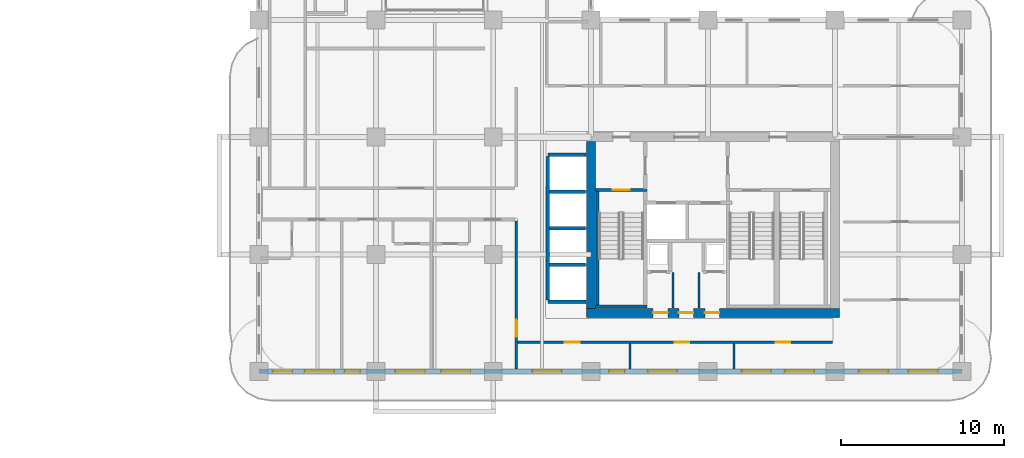
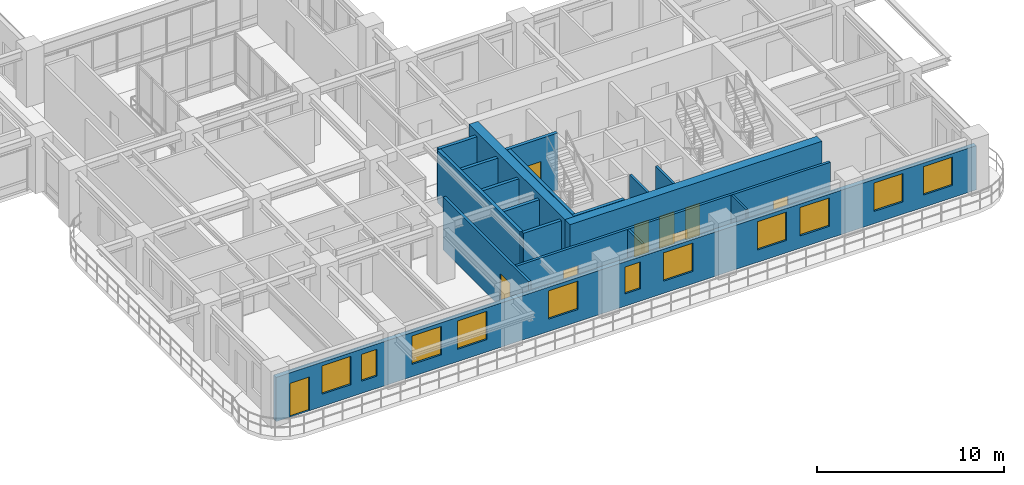
# One storey, part 13 of 22: 18 walls, 11 windows, 9 doors, 20 openings.
"""IFC4 building model written with IfcOpenShell, lengths in metres."""

from ifc_helpers import new_model, si_unit, derived_unit, direction, frame, frame_2d, origin, place, context, subcontext, project, spatial, rectangle, extrude, source, transform, mapped, material, layer, layer_set, type_object, type_shapes, element, fill, save


model = new_model("IFC4")

# Units and contexts
model_context = context("Model", 3, precision=1e-05, world=origin(), true_north=direction((0.0, 1.0)))
body_context = subcontext(model_context, "Body", "Model", "MODEL_VIEW")
ifc_project = project(units=[si_unit("LENGTHUNIT", "METRE"), si_unit("AREAUNIT", "SQUARE_METRE"), si_unit("VOLUMEUNIT", "CUBIC_METRE"), si_unit("PLANEANGLEUNIT", "RADIAN"), si_unit("MASSUNIT", "GRAM", prefix="KILO"), si_unit("THERMODYNAMICTEMPERATUREUNIT", "KELVIN"), si_unit("POWERUNIT", "WATT"), derived_unit("THERMALTRANSMITTANCEUNIT", [(si_unit("POWERUNIT", "WATT"), 1), (si_unit("AREAUNIT", "SQUARE_METRE"), -1), (si_unit("THERMODYNAMICTEMPERATUREUNIT", "KELVIN"), -1)])], contexts=[model_context])

# Site, building, storey
site_placement = place(None, origin())
site = spatial("IfcSite", under=ifc_project, at=site_placement, CompositionType="ELEMENT")
building_placement = place(site_placement, origin())
building = spatial("IfcBuilding", under=site, at=building_placement, Name="Zahravan Archway Hotel and Residences", CompositionType="ELEMENT")
storey_placement = place(building_placement, frame((0.0, 0.0, 80.5)))
storey = spatial("IfcBuildingStorey", under=building, at=storey_placement, Name="L19", CompositionType="ELEMENT", Elevation=80.5)

# Wall, openings, doors
ifc_material_1 = material(Name="Concrete C70/85", Category="concrete")
ifc_layer_1 = layer(ifc_material_1, 0.550048828125, Name="Concrete C70/85", Category="concrete")
ifc_layer_set_1 = layer_set([ifc_layer_1], Name="Concrete C70/85")
wall_type_1 = type_object("IfcWallType", Name="CW-CORE-550", PredefinedType="SHEAR", material=ifc_layer_set_1)
wall_1_placement = place(storey_placement, frame((34.52490234375, 3.60009765625, 0.0), z_axis=(0.0, 0.0, 1.0), x_axis=(1.0, 0.0, 0.0)))
wall_1 = element("IfcWall", 1, at=wall_1_placement, inside=storey, type_object=wall_type_1, Name="L19 Core A Shear S Wall 550 mm", PredefinedType="SHEAR", context=body_context, shape_type="SweptSolid", body=[
    extrude(rectangle(XDim=15.550048828125, YDim=0.550048828125, at=frame_2d((7.77490234375, 0.0))), origin(), (0.0, 0.0, 1.0), 3.699951171875),
])
opening_1_placement = place(wall_1_placement, frame((4.10498046875, 0.0, 0.0)))
opening_1 = element("IfcOpeningElement", 2, at=opening_1_placement, cuts=wall_1, Name="Opening FD-R1", PredefinedType="OPENING", context=body_context, shape_type="SweptSolid", body=[
    extrude(rectangle(XDim=0.89990234375, YDim=2.10009765625, at=frame_2d((0.449951171875, 1.050048828125))), frame((0.0, 0.28515625, 0.0), z_axis=(0.0, -1.0, 0.0), x_axis=(1.0, 0.0, 0.0)), (0.0, 0.0, 1.0), 0.570068359375),
])
opening_2_placement = place(wall_1_placement, frame((5.675048828125, 0.0, 0.0)))
opening_2 = element("IfcOpeningElement", 3, at=opening_2_placement, cuts=wall_1, Name="Opening FD-R1", PredefinedType="OPENING", context=body_context, shape_type="SweptSolid", body=[
    extrude(rectangle(XDim=0.89990234375, YDim=2.10009765625, at=frame_2d((0.449951171875, 1.050048828125))), frame((0.0, 0.28515625, 0.0), z_axis=(0.0, -1.0, 0.0), x_axis=(1.0, 0.0, 0.0)), (0.0, 0.0, 1.0), 0.570068359375),
])
opening_3_placement = place(wall_1_placement, frame((7.27490234375, 0.0, 0.0)))
opening_3 = element("IfcOpeningElement", 4, at=opening_3_placement, cuts=wall_1, Name="Opening FD-R1", PredefinedType="OPENING", context=body_context, shape_type="SweptSolid", body=[
    extrude(rectangle(XDim=0.89990234375, YDim=2.10009765625, at=frame_2d((0.449951171875, 1.050048828125))), frame((0.0, 0.28515625, 0.0), z_axis=(0.0, -1.0, 0.0), x_axis=(1.0, 0.0, 0.0)), (0.0, 0.0, 1.0), 0.570068359375),
])
ifc_material_2 = material(Name="Fire-Rated Painted Steel", Category="steel")
door_type_1 = type_object("IfcDoorType", Name="FD-RISER-900", OperationType="NOTDEFINED", PredefinedType="DOOR", material=ifc_material_2)
shared_shape_1 = source(origin(), body_context, "Body", "SweptSolid", [
    extrude(rectangle(XDim=0.89990234375, YDim=2.10009765625, at=frame_2d((0.449951171875, 1.050048828125))), frame((0.0, 0.02490234375, 0.0), z_axis=(0.0, -1.0, 0.0), x_axis=(1.0, 0.0, 0.0)), (0.0, 0.0, 1.0), 0.050048828125),
])
type_shapes(door_type_1, [shared_shape_1])
door_1_placement = place(opening_1_placement, origin())
door_1 = element("IfcDoor", 5, at=door_1_placement, inside=storey, type_object=door_type_1, Name="L19 Linen Store Door", OperationType="SINGLE_SWING_RIGHT", OverallHeight=2.10009765625, OverallWidth=0.89990234375, PredefinedType="DOOR", context=body_context, shape_type="MappedRepresentation", body=[
    mapped(shared_shape_1, transform((0.0, 0.0, 0.0), scale=1.0)),
])
fill(opening_1, door_1)
door_2_placement = place(opening_2_placement, origin())
door_2 = element("IfcDoor", 6, at=door_2_placement, inside=storey, type_object=door_type_1, Name="L19 Housekeeping Store Door", OperationType="SINGLE_SWING_LEFT", OverallHeight=2.10009765625, OverallWidth=0.89990234375, PredefinedType="DOOR", context=body_context, shape_type="MappedRepresentation", body=[
    mapped(shared_shape_1, transform((0.0, 0.0, 0.0), scale=1.0)),
])
fill(opening_2, door_2)
door_3_placement = place(opening_3_placement, origin())
door_3 = element("IfcDoor", 7, at=door_3_placement, inside=storey, type_object=door_type_1, Name="L19 Janitor Store Door", OperationType="SINGLE_SWING_RIGHT", OverallHeight=2.10009765625, OverallWidth=0.89990234375, PredefinedType="DOOR", context=body_context, shape_type="MappedRepresentation", body=[
    mapped(shared_shape_1, transform((0.0, 0.0, 0.0), scale=1.0)),
])
fill(opening_3, door_3)

# Wall
wall_2_placement = place(storey_placement, frame((34.800048828125, 3.875, 0.0), z_axis=(0.0, 0.0, 1.0), x_axis=(0.0, 1.0, 0.0)))
element("IfcWall", 8, at=wall_2_placement, inside=storey, type_object=wall_type_1, Name="L19 Core A Shear W Wall 550 mm", PredefinedType="SHEAR", context=body_context, shape_type="SweptSolid", body=[
    extrude(rectangle(XDim=10.25, YDim=0.550048828125, at=frame_2d((5.125, 0.0))), origin(), (0.0, 0.0, 1.0), 3.699951171875),
])

# Wall, openings, door, windows
ifc_material_3 = material(Name="Honed Red-Ochre Sandstone & Insulated Block", Category="masonry")
ifc_layer_2 = layer(ifc_material_3, 0.280029296875, Name="Honed Red-Ochre Sandstone & Insulated Block", Category="masonry")
ifc_layer_set_2 = layer_set([ifc_layer_2], Name="Honed Red-Ochre Sandstone & Insulated Block")
wall_type_2 = type_object("IfcWallType", Name="EW-LOG-280", PredefinedType="SOLIDWALL", material=ifc_layer_set_2)
wall_3_placement = place(storey_placement, frame((14.39990234375, 0.0, 0.0), z_axis=(0.0, 0.0, 1.0), x_axis=(1.0, 0.0, 0.0)))
wall_3 = element("IfcWall", 9, at=wall_3_placement, inside=storey, type_object=wall_type_2, Name="L19 Exterior Sandstone Wall WA-S", PredefinedType="SOLIDWALL", context=body_context, shape_type="SweptSolid", body=[
    extrude(rectangle(XDim=43.2001953125, YDim=0.280029296875, at=frame_2d((21.60009765625, 0.0))), origin(), (0.0, 0.0, 1.0), 2.885009765625),
])
opening_4_placement = place(wall_3_placement, frame((0.85009765625, 0.0, 0.0)))
opening_4 = element("IfcOpeningElement", 10, at=opening_4_placement, cuts=wall_3, Name="Opening ED-BL1", PredefinedType="OPENING", context=body_context, shape_type="SweptSolid", body=[
    extrude(rectangle(XDim=1.199951171875, YDim=2.199951171875, at=frame_2d((0.60009765625, 1.10009765625))), frame((0.0, 0.14990234375, 0.0), z_axis=(0.0, -1.0, 0.0), x_axis=(1.0, 0.0, 0.0)), (0.0, 0.0, 1.0), 0.300048828125),
])
opening_5_placement = place(wall_3_placement, frame((2.81103515625, 0.0, 0.800048828125)))
opening_5 = element("IfcOpeningElement", 11, at=opening_5_placement, cuts=wall_3, Name="Opening W-02", PredefinedType="OPENING", context=body_context, shape_type="SweptSolid", body=[
    extrude(rectangle(XDim=1.800048828125, YDim=1.85009765625, at=frame_2d((0.89990234375, 0.925048828125))), frame((0.0, 0.14990234375, 0.0), z_axis=(0.0, -1.0, 0.0), x_axis=(1.0, 0.0, 0.0)), (0.0, 0.0, 1.0), 0.300048828125),
])
opening_6_placement = place(wall_3_placement, frame((5.26904296875, 0.0, 0.800048828125)))
opening_6 = element("IfcOpeningElement", 12, at=opening_6_placement, cuts=wall_3, Name="Opening W-04", PredefinedType="OPENING", context=body_context, shape_type="SweptSolid", body=[
    extrude(rectangle(XDim=0.949951171875, YDim=1.75, at=frame_2d((0.47509765625, 0.875))), frame((0.0, 0.14990234375, 0.0), z_axis=(0.0, -1.0, 0.0), x_axis=(1.0, 0.0, 0.0)), (0.0, 0.0, 1.0), 0.300048828125),
])
opening_7_placement = place(wall_3_placement, frame((8.388916015625, 0.0, 0.800048828125)))
opening_7 = element("IfcOpeningElement", 13, at=opening_7_placement, cuts=wall_3, Name="Opening W-02", PredefinedType="OPENING", context=body_context, shape_type="SweptSolid", body=[
    extrude(rectangle(XDim=1.800048828125, YDim=1.85009765625, at=frame_2d((0.89990234375, 0.925048828125))), frame((0.0, 0.14990234375, 0.0), z_axis=(0.0, -1.0, 0.0), x_axis=(1.0, 0.0, 0.0)), (0.0, 0.0, 1.0), 0.300048828125),
])
opening_8_placement = place(wall_3_placement, frame((11.197021484375, 0.0, 0.800048828125)))
opening_8 = element("IfcOpeningElement", 14, at=opening_8_placement, cuts=wall_3, Name="Opening W-02", PredefinedType="OPENING", context=body_context, shape_type="SweptSolid", body=[
    extrude(rectangle(XDim=1.800048828125, YDim=1.85009765625, at=frame_2d((0.89990234375, 0.925048828125))), frame((0.0, 0.14990234375, 0.0), z_axis=(0.0, -1.0, 0.0), x_axis=(1.0, 0.0, 0.0)), (0.0, 0.0, 1.0), 0.300048828125),
])
opening_9_placement = place(wall_3_placement, frame((16.803955078125, 0.0, 0.800048828125)))
opening_9 = element("IfcOpeningElement", 15, at=opening_9_placement, cuts=wall_3, Name="Opening W-02", PredefinedType="OPENING", context=body_context, shape_type="SweptSolid", body=[
    extrude(rectangle(XDim=1.800048828125, YDim=1.85009765625, at=frame_2d((0.89990234375, 0.925048828125))), frame((0.0, 0.14990234375, 0.0), z_axis=(0.0, -1.0, 0.0), x_axis=(1.0, 0.0, 0.0)), (0.0, 0.0, 1.0), 0.300048828125),
])
opening_10_placement = place(wall_3_placement, frame((21.52099609375, 0.0, 0.800048828125)))
opening_10 = element("IfcOpeningElement", 16, at=opening_10_placement, cuts=wall_3, Name="Opening W-04", PredefinedType="OPENING", context=body_context, shape_type="SweptSolid", body=[
    extrude(rectangle(XDim=0.949951171875, YDim=1.75, at=frame_2d((0.47509765625, 0.875))), frame((0.0, 0.14990234375, 0.0), z_axis=(0.0, -1.0, 0.0), x_axis=(1.0, 0.0, 0.0)), (0.0, 0.0, 1.0), 0.300048828125),
])
opening_11_placement = place(wall_3_placement, frame((23.904052734375, 0.0, 0.800048828125)))
opening_11 = element("IfcOpeningElement", 17, at=opening_11_placement, cuts=wall_3, Name="Opening W-02", PredefinedType="OPENING", context=body_context, shape_type="SweptSolid", body=[
    extrude(rectangle(XDim=1.800048828125, YDim=1.85009765625, at=frame_2d((0.89990234375, 0.925048828125))), frame((0.0, 0.14990234375, 0.0), z_axis=(0.0, -1.0, 0.0), x_axis=(1.0, 0.0, 0.0)), (0.0, 0.0, 1.0), 0.300048828125),
])
opening_12_placement = place(wall_3_placement, frame((29.680908203125, 0.0, 0.800048828125)))
opening_12 = element("IfcOpeningElement", 18, at=opening_12_placement, cuts=wall_3, Name="Opening W-02", PredefinedType="OPENING", context=body_context, shape_type="SweptSolid", body=[
    extrude(rectangle(XDim=1.800048828125, YDim=1.85009765625, at=frame_2d((0.89990234375, 0.925048828125))), frame((0.0, 0.14990234375, 0.0), z_axis=(0.0, -1.0, 0.0), x_axis=(1.0, 0.0, 0.0)), (0.0, 0.0, 1.0), 0.300048828125),
])
opening_13_placement = place(wall_3_placement, frame((32.326904296875, 0.0, 0.800048828125)))
opening_13 = element("IfcOpeningElement", 19, at=opening_13_placement, cuts=wall_3, Name="Opening W-02", PredefinedType="OPENING", context=body_context, shape_type="SweptSolid", body=[
    extrude(rectangle(XDim=1.800048828125, YDim=1.85009765625, at=frame_2d((0.89990234375, 0.925048828125))), frame((0.0, 0.14990234375, 0.0), z_axis=(0.0, -1.0, 0.0), x_axis=(1.0, 0.0, 0.0)), (0.0, 0.0, 1.0), 0.300048828125),
])
opening_14_placement = place(wall_3_placement, frame((36.875, 0.0, 0.800048828125)))
opening_14 = element("IfcOpeningElement", 20, at=opening_14_placement, cuts=wall_3, Name="Opening W-02", PredefinedType="OPENING", context=body_context, shape_type="SweptSolid", body=[
    extrude(rectangle(XDim=1.800048828125, YDim=1.85009765625, at=frame_2d((0.89990234375, 0.925048828125))), frame((0.0, 0.14990234375, 0.0), z_axis=(0.0, -1.0, 0.0), x_axis=(1.0, 0.0, 0.0)), (0.0, 0.0, 1.0), 0.300048828125),
])
opening_15_placement = place(wall_3_placement, frame((39.925048828125, 0.0, 0.800048828125)))
opening_15 = element("IfcOpeningElement", 21, at=opening_15_placement, cuts=wall_3, Name="Opening W-02", PredefinedType="OPENING", context=body_context, shape_type="SweptSolid", body=[
    extrude(rectangle(XDim=1.800048828125, YDim=1.85009765625, at=frame_2d((0.89990234375, 0.925048828125))), frame((0.0, 0.14990234375, 0.0), z_axis=(0.0, -1.0, 0.0), x_axis=(1.0, 0.0, 0.0)), (0.0, 0.0, 1.0), 0.300048828125),
])
ifc_material_4 = material(Name="Bronze-Anodized Glazed Aluminium", Category="aluminium")
door_type_2 = type_object("IfcDoorType", Name="ED-BALC-1200", OperationType="SLIDING_TO_LEFT", PredefinedType="DOOR", material=ifc_material_4)
shared_shape_2 = source(origin(), body_context, "Body", "SweptSolid", [
    extrude(rectangle(XDim=1.199951171875, YDim=2.199951171875, at=frame_2d((0.60009765625, 1.10009765625))), frame((0.0, 0.02490234375, 0.0), z_axis=(0.0, -1.0, 0.0), x_axis=(1.0, 0.0, 0.0)), (0.0, 0.0, 1.0), 0.050048828125),
])
type_shapes(door_type_2, [shared_shape_2])
door_4_placement = place(opening_4_placement, origin())
door_4 = element("IfcDoor", 22, at=door_4_placement, inside=storey, type_object=door_type_2, Name="L19 Outdoor Access Sliding Door (SLB-BAL-L19-SA)", OperationType="SLIDING_TO_LEFT", OverallHeight=2.199951171875, OverallWidth=1.199951171875, PredefinedType="DOOR", context=body_context, shape_type="MappedRepresentation", body=[
    mapped(shared_shape_2, transform((0.0, 0.0, 0.0), scale=1.0)),
])
fill(opening_4, door_4)
ifc_material_5 = material(Name="Bronze-Anodized Thermal-Break Aluminium & Low-E Glass", Category="aluminium")
window_type_1 = type_object("IfcWindowType", Name="WIN-NAR-950", PartitioningType="SINGLE_PANEL", PredefinedType="WINDOW", material=ifc_material_5)
shared_shape_3 = source(origin(), body_context, "Body", "SweptSolid", [
    extrude(rectangle(XDim=0.949951171875, YDim=1.75, at=frame_2d((0.47509765625, 0.875))), frame((0.0, 0.030029296875, 0.0), z_axis=(0.0, -1.0, 0.0), x_axis=(1.0, 0.0, 0.0)), (0.0, 0.0, 1.0), 0.06005859375),
])
type_shapes(window_type_1, [shared_shape_3])
window_1_placement = place(opening_6_placement, origin())
window_1 = element("IfcWindow", 23, at=window_1_placement, inside=storey, type_object=window_type_1, Name="L19 Loggia Window 02", OverallHeight=1.75, OverallWidth=0.949951171875, PartitioningType="SINGLE_PANEL", PredefinedType="WINDOW", context=body_context, shape_type="MappedRepresentation", body=[
    mapped(shared_shape_3, transform((0.0, 0.0, 0.0), scale=1.0)),
])
fill(opening_6, window_1)
window_2_placement = place(opening_10_placement, origin())
window_2 = element("IfcWindow", 24, at=window_2_placement, inside=storey, type_object=window_type_1, Name="L19 Loggia Window 06", OverallHeight=1.75, OverallWidth=0.949951171875, PartitioningType="SINGLE_PANEL", PredefinedType="WINDOW", context=body_context, shape_type="MappedRepresentation", body=[
    mapped(shared_shape_3, transform((0.0, 0.0, 0.0), scale=1.0)),
])
fill(opening_10, window_2)
window_type_2 = type_object("IfcWindowType", Name="WIN-TWR-1800", PartitioningType="DOUBLE_PANEL_VERTICAL", PredefinedType="WINDOW", material=ifc_material_5)
shared_shape_4 = source(origin(), body_context, "Body", "SweptSolid", [
    extrude(rectangle(XDim=1.800048828125, YDim=1.85009765625, at=frame_2d((0.89990234375, 0.925048828125))), frame((0.0, 0.030029296875, 0.0), z_axis=(0.0, -1.0, 0.0), x_axis=(1.0, 0.0, 0.0)), (0.0, 0.0, 1.0), 0.06005859375),
])
type_shapes(window_type_2, [shared_shape_4])
window_3_placement = place(opening_5_placement, origin())
window_3 = element("IfcWindow", 25, at=window_3_placement, inside=storey, type_object=window_type_2, Name="L19 Loggia Window 01", OverallHeight=1.85009765625, OverallWidth=1.800048828125, PartitioningType="DOUBLE_PANEL_VERTICAL", PredefinedType="WINDOW", context=body_context, shape_type="MappedRepresentation", body=[
    mapped(shared_shape_4, transform((0.0, 0.0, 0.0), scale=1.0)),
])
fill(opening_5, window_3)
window_4_placement = place(opening_7_placement, origin())
window_4 = element("IfcWindow", 26, at=window_4_placement, inside=storey, type_object=window_type_2, Name="L19 Loggia Window 03", OverallHeight=1.85009765625, OverallWidth=1.800048828125, PartitioningType="DOUBLE_PANEL_VERTICAL", PredefinedType="WINDOW", context=body_context, shape_type="MappedRepresentation", body=[
    mapped(shared_shape_4, transform((0.0, 0.0, 0.0), scale=1.0)),
])
fill(opening_7, window_4)
window_5_placement = place(opening_8_placement, origin())
window_5 = element("IfcWindow", 27, at=window_5_placement, inside=storey, type_object=window_type_2, Name="L19 Loggia Window 04", OverallHeight=1.85009765625, OverallWidth=1.800048828125, PartitioningType="DOUBLE_PANEL_VERTICAL", PredefinedType="WINDOW", context=body_context, shape_type="MappedRepresentation", body=[
    mapped(shared_shape_4, transform((0.0, 0.0, 0.0), scale=1.0)),
])
fill(opening_8, window_5)
window_6_placement = place(opening_9_placement, origin())
window_6 = element("IfcWindow", 28, at=window_6_placement, inside=storey, type_object=window_type_2, Name="L19 Loggia Window 05", OverallHeight=1.85009765625, OverallWidth=1.800048828125, PartitioningType="DOUBLE_PANEL_VERTICAL", PredefinedType="WINDOW", context=body_context, shape_type="MappedRepresentation", body=[
    mapped(shared_shape_4, transform((0.0, 0.0, 0.0), scale=1.0)),
])
fill(opening_9, window_6)
window_7_placement = place(opening_11_placement, origin())
window_7 = element("IfcWindow", 29, at=window_7_placement, inside=storey, type_object=window_type_2, Name="L19 Loggia Window 07", OverallHeight=1.85009765625, OverallWidth=1.800048828125, PartitioningType="DOUBLE_PANEL_VERTICAL", PredefinedType="WINDOW", context=body_context, shape_type="MappedRepresentation", body=[
    mapped(shared_shape_4, transform((0.0, 0.0, 0.0), scale=1.0)),
])
fill(opening_11, window_7)
window_8_placement = place(opening_12_placement, origin())
window_8 = element("IfcWindow", 30, at=window_8_placement, inside=storey, type_object=window_type_2, Name="L19 Loggia Window 08", OverallHeight=1.85009765625, OverallWidth=1.800048828125, PartitioningType="DOUBLE_PANEL_VERTICAL", PredefinedType="WINDOW", context=body_context, shape_type="MappedRepresentation", body=[
    mapped(shared_shape_4, transform((0.0, 0.0, 0.0), scale=1.0)),
])
fill(opening_12, window_8)
window_9_placement = place(opening_13_placement, origin())
window_9 = element("IfcWindow", 31, at=window_9_placement, inside=storey, type_object=window_type_2, Name="L19 Loggia Window 09", OverallHeight=1.85009765625, OverallWidth=1.800048828125, PartitioningType="DOUBLE_PANEL_VERTICAL", PredefinedType="WINDOW", context=body_context, shape_type="MappedRepresentation", body=[
    mapped(shared_shape_4, transform((0.0, 0.0, 0.0), scale=1.0)),
])
fill(opening_13, window_9)
window_10_placement = place(opening_14_placement, origin())
window_10 = element("IfcWindow", 32, at=window_10_placement, inside=storey, type_object=window_type_2, Name="L19 Loggia Window 10", OverallHeight=1.85009765625, OverallWidth=1.800048828125, PartitioningType="DOUBLE_PANEL_VERTICAL", PredefinedType="WINDOW", context=body_context, shape_type="MappedRepresentation", body=[
    mapped(shared_shape_4, transform((0.0, 0.0, 0.0), scale=1.0)),
])
fill(opening_14, window_10)
window_11_placement = place(opening_15_placement, origin())
window_11 = element("IfcWindow", 33, at=window_11_placement, inside=storey, type_object=window_type_2, Name="L19 Loggia Window 11", OverallHeight=1.85009765625, OverallWidth=1.800048828125, PartitioningType="DOUBLE_PANEL_VERTICAL", PredefinedType="WINDOW", context=body_context, shape_type="MappedRepresentation", body=[
    mapped(shared_shape_4, transform((0.0, 0.0, 0.0), scale=1.0)),
])
fill(opening_15, window_11)

# Wall, opening, door
ifc_material_6 = material(Name="Fire-Rated Gypsum & Concrete Block", Category="concrete")
ifc_layer_3 = layer(ifc_material_6, 0.159912109375, Name="Fire-Rated Gypsum & Concrete Block", Category="concrete")
ifc_layer_set_3 = layer_set([ifc_layer_3], Name="Fire-Rated Gypsum & Concrete Block")
wall_type_3 = type_object("IfcWallType", Name="PW-CORR-160", PredefinedType="PARTITIONING", material=ifc_layer_set_3)
wall_4_placement = place(storey_placement, frame((30.199951171875, 0.14794921875, 0.0), z_axis=(0.0, 0.0, 1.0), x_axis=(0.0, 1.0, 0.0)))
wall_4 = element("IfcWall", 34, at=wall_4_placement, inside=storey, type_object=wall_type_3, Name="L19 Partition WA-SRW", PredefinedType="PARTITIONING", context=body_context, shape_type="SweptSolid", body=[
    extrude(rectangle(XDim=9.112060546875, YDim=0.159912109375, at=frame_2d((4.55615234375, 0.0))), origin(), (0.0, 0.0, 1.0), 3.449951171875),
])
opening_16_placement = place(wall_4_placement, frame((1.97705078125, 0.0, 0.0)))
opening_16 = element("IfcOpeningElement", 35, at=opening_16_placement, cuts=wall_4, Name="Opening FD-L2", PredefinedType="OPENING", context=body_context, shape_type="SweptSolid", body=[
    extrude(rectangle(XDim=1.050048828125, YDim=2.14990234375, at=frame_2d((0.52490234375, 1.074951171875))), frame((0.0, 0.08984375, 0.0), z_axis=(0.0, -1.0, 0.0), x_axis=(1.0, 0.0, 0.0)), (0.0, 0.0, 1.0), 0.179931640625),
])
door_type_3 = type_object("IfcDoorType", Name="FD-LOBBY-1100", OperationType="NOTDEFINED", PredefinedType="DOOR", material=ifc_material_2)
shared_shape_5 = source(origin(), body_context, "Body", "SweptSolid", [
    extrude(rectangle(XDim=1.050048828125, YDim=2.14990234375, at=frame_2d((0.52490234375, 1.074951171875))), frame((0.0, 0.02490234375, 0.0), z_axis=(0.0, -1.0, 0.0), x_axis=(1.0, 0.0, 0.0)), (0.0, 0.0, 1.0), 0.050048828125),
])
type_shapes(door_type_3, [shared_shape_5])
door_5_placement = place(opening_16_placement, origin())
door_5 = element("IfcDoor", 36, at=door_5_placement, inside=storey, type_object=door_type_3, Name="L19 South Riser Corridor Door", OperationType="SINGLE_SWING_RIGHT", OverallHeight=2.14990234375, OverallWidth=1.050048828125, PredefinedType="DOOR", context=body_context, shape_type="MappedRepresentation", body=[
    mapped(shared_shape_5, transform((0.0, 0.0, 0.0), scale=1.0)),
])
fill(opening_16, door_5)

# Wall, openings, doors
wall_5_placement = place(storey_placement, frame((30.2900390625, 1.800048828125, 0.0), z_axis=(0.0, 0.0, 1.0), x_axis=(1.0, 0.0, 0.0)))
wall_5 = element("IfcWall", 37, at=wall_5_placement, inside=storey, type_object=wall_type_3, Name="L19 Partition WA-SRS", PredefinedType="PARTITIONING", context=body_context, shape_type="SweptSolid", body=[
    extrude(rectangle(XDim=19.369873046875, YDim=0.159912109375, at=frame_2d((9.68505859375, 0.0))), origin(), (0.0, 0.0, 1.0), 3.449951171875),
])
opening_17_placement = place(wall_5_placement, frame((2.916259765625, 0.0, 0.0)))
opening_17 = element("IfcOpeningElement", 38, at=opening_17_placement, cuts=wall_5, Name="Opening D-I2", PredefinedType="OPENING", context=body_context, shape_type="SweptSolid", body=[
    extrude(rectangle(XDim=0.89990234375, YDim=2.14990234375, at=frame_2d((0.449951171875, 1.074951171875))), frame((0.0, 0.08984375, 0.0), z_axis=(0.0, -1.0, 0.0), x_axis=(1.0, 0.0, 0.0)), (0.0, 0.0, 1.0), 0.179931640625),
])
opening_18_placement = place(wall_5_placement, frame((9.659912109375, 0.0, 0.0)))
opening_18 = element("IfcOpeningElement", 39, at=opening_18_placement, cuts=wall_5, Name="Opening D-I2", PredefinedType="OPENING", context=body_context, shape_type="SweptSolid", body=[
    extrude(rectangle(XDim=0.89990234375, YDim=2.14990234375, at=frame_2d((0.449951171875, 1.074951171875))), frame((0.0, 0.08984375, 0.0), z_axis=(0.0, -1.0, 0.0), x_axis=(1.0, 0.0, 0.0)), (0.0, 0.0, 1.0), 0.179931640625),
])
opening_19_placement = place(wall_5_placement, frame((15.860107421875, 0.0, 0.0)))
opening_19 = element("IfcOpeningElement", 40, at=opening_19_placement, cuts=wall_5, Name="Opening D-I2", PredefinedType="OPENING", context=body_context, shape_type="SweptSolid", body=[
    extrude(rectangle(XDim=0.89990234375, YDim=2.14990234375, at=frame_2d((0.449951171875, 1.074951171875))), frame((0.0, 0.08984375, 0.0), z_axis=(0.0, -1.0, 0.0), x_axis=(1.0, 0.0, 0.0)), (0.0, 0.0, 1.0), 0.179931640625),
])
ifc_material_7 = material(Name="Hardwood Veneer Timber", Category="wood")
door_type_4 = type_object("IfcDoorType", Name="ID-INT-900", OperationType="NOTDEFINED", PredefinedType="DOOR", material=ifc_material_7)
shared_shape_6 = source(origin(), body_context, "Body", "SweptSolid", [
    extrude(rectangle(XDim=0.89990234375, YDim=2.14990234375, at=frame_2d((0.449951171875, 1.074951171875))), frame((0.0, 0.02490234375, 0.0), z_axis=(0.0, -1.0, 0.0), x_axis=(1.0, 0.0, 0.0)), (0.0, 0.0, 1.0), 0.050048828125),
])
type_shapes(door_type_4, [shared_shape_6])
door_6_placement = place(opening_17_placement, origin())
door_6 = element("IfcDoor", 41, at=door_6_placement, inside=storey, type_object=door_type_4, Name="L19 South Office Door", OperationType="SINGLE_SWING_LEFT", OverallHeight=2.14990234375, OverallWidth=0.89990234375, PredefinedType="DOOR", context=body_context, shape_type="MappedRepresentation", body=[
    mapped(shared_shape_6, transform((0.0, 0.0, 0.0), scale=1.0)),
])
fill(opening_17, door_6)
door_7_placement = place(opening_18_placement, origin())
door_7 = element("IfcDoor", 42, at=door_7_placement, inside=storey, type_object=door_type_4, Name="L19 South Meeting Door", OperationType="SINGLE_SWING_RIGHT", OverallHeight=2.14990234375, OverallWidth=0.89990234375, PredefinedType="DOOR", context=body_context, shape_type="MappedRepresentation", body=[
    mapped(shared_shape_6, transform((0.0, 0.0, 0.0), scale=1.0)),
])
fill(opening_18, door_7)
door_8_placement = place(opening_19_placement, origin())
door_8 = element("IfcDoor", 43, at=door_8_placement, inside=storey, type_object=door_type_4, Name="L19 South Prayer Alcove Door", OperationType="SINGLE_SWING_LEFT", OverallHeight=2.14990234375, OverallWidth=0.89990234375, PredefinedType="DOOR", context=body_context, shape_type="MappedRepresentation", body=[
    mapped(shared_shape_6, transform((0.0, 0.0, 0.0), scale=1.0)),
])
fill(opening_19, door_8)

# Walls
ifc_material_8 = material(Name="Acoustic Stud Partition")
ifc_layer_4 = layer(ifc_material_8, 0.125, Name="Acoustic Stud Partition")
ifc_layer_set_4 = layer_set([ifc_layer_4], Name="Acoustic Stud Partition")
wall_type_4 = type_object("IfcWallType", Name="PW-INT-125", PredefinedType="PARTITIONING", material=ifc_layer_set_4)
for number, where, z_axis, x_axis, name in (
    (44, (37.199951171875, 0.14794921875, 0.0), (0.0, 0.0, 1.0), (0.0, 1.0, 0.0), "L19 Partition S-DIV2A"),
    (45, (43.60009765625, 0.14794921875, 0.0), (0.0, 0.0, 1.0), (0.0, 1.0, 0.0), "L19 Partition S-DIV2B"),
):
    element("IfcWall", number, at=place(storey_placement, frame(where, z_axis=z_axis, x_axis=x_axis)), inside=storey, type_object=wall_type_4, Name=name, PredefinedType="PARTITIONING", context=body_context, shape_type="SweptSolid", body=[
        extrude(rectangle(XDim=1.56201171875, YDim=0.125, at=frame_2d((0.781005859375, 0.0))), origin(), (0.0, 0.0, 1.0), 3.449951171875),
    ])
ifc_layer_5 = layer(ifc_material_6, 0.199951171875, Name="Fire-Rated Gypsum & Concrete Block", Category="concrete")
ifc_layer_set_5 = layer_set([ifc_layer_5], Name="Fire-Rated Gypsum & Concrete Block")
wall_type_5 = type_object("IfcWallType", Name="PW-SHAFT-200", PredefinedType="PARTITIONING", material=ifc_layer_set_5)
for number, where, z_axis, x_axis, name in (
    (46, (32.159912109375, 4.280029296875, 0.0), (0.0, 0.0, 1.0), (1.0, 0.0, 0.0), "L19 Partition B3-S"),
    (47, (32.159912109375, 13.320068359375, 0.0), (0.0, 0.0, 1.0), (1.0, 0.0, 0.0), "L19 Partition B3-N"),
):
    element("IfcWall", number, at=place(storey_placement, frame(where, z_axis=z_axis, x_axis=x_axis)), inside=storey, type_object=wall_type_5, Name=name, PredefinedType="PARTITIONING", context=body_context, shape_type="SweptSolid", body=[
        extrude(rectangle(XDim=2.335205078125, YDim=0.199951171875, at=frame_2d((1.16748046875, 0.0))), origin(), (0.0, 0.0, 1.0), 3.449951171875),
    ])
wall_6_placement = place(storey_placement, frame((32.14990234375, 4.389892578125, 0.0), z_axis=(0.0, 0.0, 1.0), x_axis=(0.0, 1.0, 0.0)))
element("IfcWall", 48, at=wall_6_placement, inside=storey, type_object=wall_type_5, Name="L19 Partition B3-W", PredefinedType="PARTITIONING", context=body_context, shape_type="SweptSolid", body=[
    extrude(rectangle(XDim=8.820068359375, YDim=0.199951171875, at=frame_2d((4.41015625, 0.0))), origin(), (0.0, 0.0, 1.0), 3.449951171875),
])
for number, where, z_axis, x_axis, name in (
    (49, (32.260009765625, 6.56005859375, 0.0), (0.0, 0.0, 1.0), (1.0, 0.0, 0.0), "L19 Partition B3-D"),
    (50, (32.260009765625, 8.800048828125, 0.0), (0.0, 0.0, 1.0), (1.0, 0.0, 0.0), "L19 Partition B3-D"),
    (51, (32.260009765625, 11.0400390625, 0.0), (0.0, 0.0, 1.0), (1.0, 0.0, 0.0), "L19 Partition B3-D"),
):
    element("IfcWall", number, at=place(storey_placement, frame(where, z_axis=z_axis, x_axis=x_axis)), inside=storey, type_object=wall_type_5, Name=name, PredefinedType="PARTITIONING", context=body_context, shape_type="SweptSolid", body=[
        extrude(rectangle(XDim=2.205078125, YDim=0.199951171875, at=frame_2d((1.1025390625, 0.0))), origin(), (0.0, 0.0, 1.0), 3.449951171875),
    ])
ifc_material_9 = material(Name="Moisture-Resistant Blockwork", Category="masonry")
ifc_layer_6 = layer(ifc_material_9, 0.139892578125, Name="Moisture-Resistant Blockwork", Category="masonry")
ifc_layer_set_6 = layer_set([ifc_layer_6], Name="Moisture-Resistant Blockwork")
wall_type_6 = type_object("IfcWallType", Name="PW-WET-140", PredefinedType="PARTITIONING", material=ifc_layer_set_6)
for number, where, z_axis, x_axis, name in (
    (52, (39.85009765625, 3.89501953125, 0.0), (0.0, 0.0, 1.0), (0.0, 1.0, 0.0), "L19 Partition CA-CV1A"),
    (53, (41.449951171875, 3.89501953125, 0.0), (0.0, 0.0, 1.0), (0.0, 1.0, 0.0), "L19 Partition CA-CV1B"),
):
    element("IfcWall", number, at=place(storey_placement, frame(where, z_axis=z_axis, x_axis=x_axis)), inside=storey, type_object=wall_type_6, Name=name, PredefinedType="PARTITIONING", context=body_context, shape_type="SweptSolid", body=[
        extrude(rectangle(XDim=2.18505859375, YDim=0.139892578125, at=frame_2d((1.092529296875, 0.0))), origin(), (0.0, 0.0, 1.0), 3.449951171875),
    ])
ifc_material_10 = material(Name="Concrete C50/60", Category="concrete")
ifc_layer_7 = layer(ifc_material_10, 0.199951171875, Name="Concrete C50/60", Category="concrete")
ifc_layer_set_7 = layer_set([ifc_layer_7], Name="Concrete C50/60")
wall_type_7 = type_object("IfcWallType", Name="SW-STAIR-200", PredefinedType="SHEAR", material=ifc_layer_set_7)
wall_7_placement = place(storey_placement, frame((35.074951171875, 4.0, 0.0), z_axis=(0.0, 0.0, 1.0), x_axis=(1.0, 0.0, 0.0)))
element("IfcWall", 54, at=wall_7_placement, inside=storey, type_object=wall_type_7, Name="L19 Stairwell RC Wall CA-SA1S", PredefinedType="SHEAR", context=body_context, shape_type="SweptSolid", body=[
    extrude(rectangle(XDim=3.1650390625, YDim=0.199951171875, at=frame_2d((1.58251953125, 0.0))), origin(), (0.0, 0.0, 1.0), 3.699951171875),
])
wall_8_placement = place(storey_placement, frame((35.199951171875, 4.10009765625, 0.0), z_axis=(0.0, 0.0, 1.0), x_axis=(0.0, 1.0, 0.0)))
element("IfcWall", 55, at=wall_8_placement, inside=storey, type_object=wall_type_7, Name="L19 Stairwell RC Wall CA-SA1W", PredefinedType="SHEAR", context=body_context, shape_type="SweptSolid", body=[
    extrude(rectangle(XDim=6.949951171875, YDim=0.199951171875, at=frame_2d((3.47509765625, 0.0))), origin(), (0.0, 0.0, 1.0), 3.699951171875),
])

# Wall, opening, door
wall_9_placement = place(storey_placement, frame((35.074951171875, 11.14990234375, 0.0), z_axis=(0.0, 0.0, 1.0), x_axis=(1.0, 0.0, 0.0)))
wall_9 = element("IfcWall", 56, at=wall_9_placement, inside=storey, type_object=wall_type_7, Name="L19 Stairwell RC Wall CA-SA1N", PredefinedType="SHEAR", context=body_context, shape_type="SweptSolid", body=[
    extrude(rectangle(XDim=3.1650390625, YDim=0.199951171875, at=frame_2d((1.58251953125, 0.0))), origin(), (0.0, 0.0, 1.0), 3.699951171875),
])
opening_20_placement = place(wall_9_placement, frame((1.070068359375, 0.0, 0.0)))
opening_20 = element("IfcOpeningElement", 57, at=opening_20_placement, cuts=wall_9, Name="Opening FD-S1", PredefinedType="OPENING", context=body_context, shape_type="SweptSolid", body=[
    extrude(rectangle(XDim=1.050048828125, YDim=2.199951171875, at=frame_2d((0.52490234375, 1.10009765625))), frame((0.0, 0.10986328125, 0.0), z_axis=(0.0, -1.0, 0.0), x_axis=(1.0, 0.0, 0.0)), (0.0, 0.0, 1.0), 0.219970703125),
])
door_type_5 = type_object("IfcDoorType", Name="FD-STAIR-1100", OperationType="NOTDEFINED", PredefinedType="DOOR", material=ifc_material_2)
shared_shape_7 = source(origin(), body_context, "Body", "SweptSolid", [
    extrude(rectangle(XDim=1.050048828125, YDim=2.199951171875, at=frame_2d((0.52490234375, 1.10009765625))), frame((0.0, 0.02490234375, 0.0), z_axis=(0.0, -1.0, 0.0), x_axis=(1.0, 0.0, 0.0)), (0.0, 0.0, 1.0), 0.050048828125),
])
type_shapes(door_type_5, [shared_shape_7])
door_9_placement = place(opening_20_placement, origin())
door_9 = element("IfcDoor", 58, at=door_9_placement, inside=storey, type_object=door_type_5, Name="L19 Stair ST-A1 Door", OperationType="SINGLE_SWING_LEFT", OverallHeight=2.199951171875, OverallWidth=1.050048828125, PredefinedType="DOOR", context=body_context, shape_type="MappedRepresentation", body=[
    mapped(shared_shape_7, transform((0.0, 0.0, 0.0), scale=1.0)),
])
fill(opening_20, door_9)

save(model, "model.ifc")
